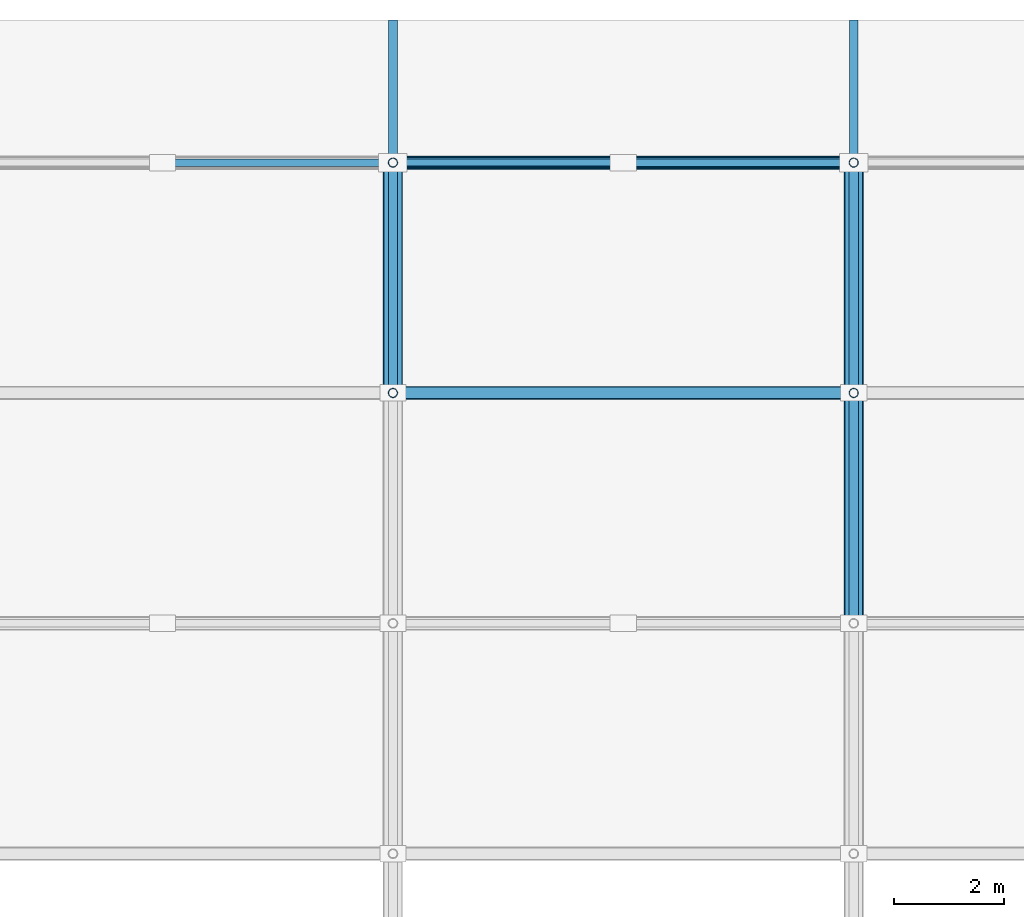
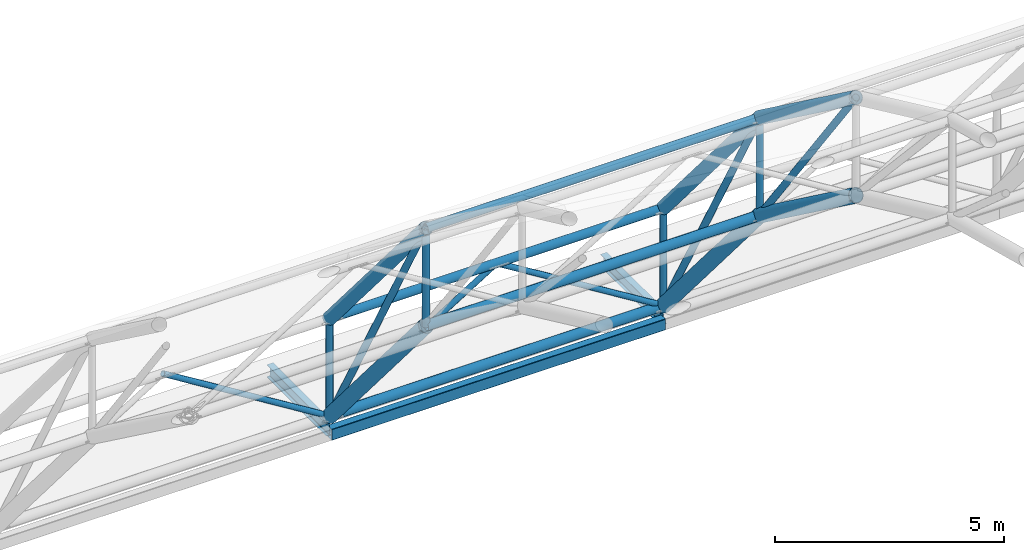
# One storey, part 41 of 103: 14 members, 9 beams.
"""IFC4 building model written with IfcOpenShell, lengths in metres."""

import ifcopenshell
import ifcopenshell.guid

model = None  # the IFC model being written
_history = None  # IfcOwnerHistory: only IFC2X3 demands one
_inside = {}  # id of a spatial element -> (the spatial element, [elements in it])
_under = {}  # id of a project, library or spatial element -> (it, [spatial elements below it])
_declared = {}  # id of a project -> (the project, [libraries it declares])
_typed = {}  # id of a type object -> (the type object, [elements of that type])
_made_of = {}  # id of a material, layer set ... -> (it, [elements and type objects made of it])


def new_model(schema):
    """Start an empty IFC model of exactly this schema.

    Asked for "IFC4X3", IfcOpenShell would pick the latest addendum, in which some entities
    have other attributes; the version numbers below select the first issue.
    IFC2X3 requires an IfcOwnerHistory on every rooted entity: one is made here for all.
    """
    global model, _history
    if schema == "IFC4X3":
        model = ifcopenshell.file(schema_version=(4, 3, 0, 0))
    else:
        model = ifcopenshell.file(schema=schema)
    _inside.clear()
    _under.clear()
    _declared.clear()
    _typed.clear()
    _made_of.clear()
    _history = None
    if model.schema == "IFC2X3":
        org = make("IfcOrganization", Name="unknown")
        user = make(
            "IfcPersonAndOrganization",
            ThePerson=make("IfcPerson", FamilyName="unknown"),
            TheOrganization=org,
        )
        app = make(
            "IfcApplication",
            ApplicationDeveloper=org,
            Version="unknown",
            ApplicationFullName="unknown",
            ApplicationIdentifier="unknown",
        )
        _history = make(
            "IfcOwnerHistory",
            OwningUser=user,
            OwningApplication=app,
            ChangeAction="ADDED",
            CreationDate=0,
        )
    return model


def make(cls, **values):
    """One entity of the class cls with the attributes given. An attribute that is None is left unset."""
    return model.create_entity(
        cls, **{name: value for name, value in values.items() if value is not None}
    )


def rooted(cls, **values):
    """An entity with a GlobalId (a new one), such as an element, a storey or a relation."""
    return make(cls, GlobalId=ifcopenshell.guid.new(), OwnerHistory=_history, **values)


def si_unit(unit_type, name, prefix=None):
    """IfcSIUnit, for example si_unit("LENGTHUNIT", "METRE", prefix="MILLI")."""
    return make("IfcSIUnit", UnitType=unit_type, Prefix=prefix, Name=name)


def assignment(units):
    """IfcUnitAssignment: the units of a project."""
    return None if units is None else make("IfcUnitAssignment", Units=units)


def point(xyz):
    """IfcCartesianPoint."""
    return None if xyz is None else make("IfcCartesianPoint", Coordinates=xyz)


def direction(xyz):
    """IfcDirection."""
    return None if xyz is None else make("IfcDirection", DirectionRatios=xyz)


def frame(location, z_axis=None, x_axis=None):
    """IfcAxis2Placement3D, a coordinate frame: its origin and axes. An axis left out is left unset."""
    return make(
        "IfcAxis2Placement3D",
        Location=point(location),
        Axis=direction(z_axis),
        RefDirection=direction(x_axis),
    )


def frame_2d(location, x_axis=None):
    """IfcAxis2Placement2D, a coordinate frame in the plane: its origin and x axis."""
    return make(
        "IfcAxis2Placement2D", Location=point(location), RefDirection=direction(x_axis)
    )


def origin():
    """The frame at (0, 0, 0) with its axes left unset."""
    return frame((0.0, 0.0, 0.0))


def origin_2d():
    """The frame at (0, 0) in the plane with its x axis left unset."""
    return frame_2d((0.0, 0.0))


def place(relative_to, where):
    """IfcLocalPlacement: puts the frame where relative to a parent placement (None: the world)."""
    return make(
        "IfcLocalPlacement", PlacementRelTo=relative_to, RelativePlacement=where
    )


def context(
    kind, dimensions, precision=None, world=None, true_north=None, identifier=None
):
    """IfcGeometricRepresentationContext, for example the 3D "Model" context."""
    return make(
        "IfcGeometricRepresentationContext",
        ContextIdentifier=identifier,
        ContextType=kind,
        CoordinateSpaceDimension=dimensions,
        Precision=precision,
        WorldCoordinateSystem=world,
        TrueNorth=true_north,
    )


def subcontext(parent, identifier, kind, view, scale=None):
    """IfcGeometricRepresentationSubContext, for example "Body" below "Model"."""
    return make(
        "IfcGeometricRepresentationSubContext",
        ContextIdentifier=identifier,
        ContextType=kind,
        ParentContext=parent,
        TargetScale=scale,
        TargetView=view,
    )


def project(units=None, contexts=None):
    """IfcProject with its units and contexts."""
    return rooted(
        "IfcProject",
        Name="project",
        RepresentationContexts=contexts,
        UnitsInContext=assignment(units),
    )


def spatial(cls, under=None, at=None, **own):
    """A site, building, storey or space (cls), placed at a placement, below another one or the project."""
    s = rooted(cls, ObjectPlacement=at, **own)
    if under is not None:
        _under.setdefault(under.id(), (under, []))[1].append(s)
    return s


def profile(cls, at=None, kind="AREA", **sizes):
    """A parametric profile (cls). Its sizes go by their IFC names, for example OverallWidth=200.0."""
    return make(cls, ProfileType=kind, Position=at, **sizes)


def hollow_rectangle(**sizes):
    """IfcRectangleHollowProfileDef."""
    return profile("IfcRectangleHollowProfileDef", **sizes)


def hollow_circle(**sizes):
    """IfcCircleHollowProfileDef."""
    return profile("IfcCircleHollowProfileDef", **sizes)


def i_section(**sizes):
    """IfcIShapeProfileDef."""
    return profile("IfcIShapeProfileDef", **sizes)


def extrude(swept, where, along, depth):
    """IfcExtrudedAreaSolid: the profile swept, set in the frame where, extruded along a direction by depth."""
    return make(
        "IfcExtrudedAreaSolid",
        SweptArea=swept,
        Position=where,
        ExtrudedDirection=direction(along),
        Depth=depth,
    )


def shape(context_of_items, identifier, shape_type, items):
    """IfcShapeRepresentation: the items that make up one representation, for example the "Body"."""
    return make(
        "IfcShapeRepresentation",
        ContextOfItems=context_of_items,
        RepresentationIdentifier=identifier,
        RepresentationType=shape_type,
        Items=items,
    )


def material(Name=None, Category=None):
    """IfcMaterial."""
    return make("IfcMaterial", Name=Name, Category=Category)


def material_profile(
    of_material, cross_section, Name=None, Category=None, Priority=None
):
    """IfcMaterialProfile: a cross section and its material."""
    return make(
        "IfcMaterialProfile",
        Name=Name,
        Material=of_material,
        Profile=cross_section,
        Priority=Priority,
        Category=Category,
    )


def profile_set(profiles, Name=None, composite=None):
    """IfcMaterialProfileSet."""
    return make(
        "IfcMaterialProfileSet",
        Name=Name,
        MaterialProfiles=profiles,
        CompositeProfile=composite,
    )


def made_of(thing, what):
    """Note that an element or type object is made of a material, layer set ...; save() writes the relation."""
    if what is not None:
        _made_of.setdefault(what.id(), (what, []))[1].append(thing)
    return thing


def type_object(cls, material=None, **own):
    """A type object (cls), such as IfcWallType, which elements share."""
    return made_of(rooted(cls, **own), material)


def element(
    cls,
    number,
    at=None,
    inside=None,
    cuts=None,
    type_object=None,
    material=None,
    context=None,
    identifier="Body",
    shape_type=None,
    held_by="IfcProductDefinitionShape",
    body=None,
    shapes=None,
    **own,
):
    """One element of the class cls, such as IfcWall. Its Tag is "e" and its number.

    at: its placement. inside: the storey or other place that contains it. cuts: it is an
    opening in that element (IfcRelVoidsElement). A single representation is given by context,
    identifier, shape_type and body (its items); several are given by shapes. held_by: the class
    of the entity that holds the representations. save() writes the other relations.
    """
    e = rooted(cls, Tag="e%d" % number, ObjectPlacement=at, **own)
    if body is not None:
        shapes = [shape(context, identifier, shape_type, body)]
    if shapes is not None:
        e.Representation = make(held_by, Representations=shapes)
    if inside is not None:
        _inside.setdefault(inside.id(), (inside, []))[1].append(e)
    if cuts is not None:
        rooted(
            "IfcRelVoidsElement", RelatingBuildingElement=cuts, RelatedOpeningElement=e
        )
    if type_object is not None:
        _typed.setdefault(type_object.id(), (type_object, []))[1].append(e)
    return made_of(e, material)


def aggregate(whole, parts):
    """IfcRelAggregates: a whole, such as a stair, and the parts it consists of."""
    return rooted("IfcRelAggregates", RelatingObject=whole, RelatedObjects=parts)


def save(model, path):
    """Write the relations noted so far, then the file.

    IfcRelAggregates (storeys below a building ...), IfcRelContainedInSpatialStructure (elements
    in a storey), IfcRelDefinesByType, IfcRelAssociatesMaterial and IfcRelDeclares: one each for
    every whole, place, type object, material and project.
    """
    for whole, parts in _under.values():
        aggregate(whole, parts)
    for where, things in _inside.values():
        rooted(
            "IfcRelContainedInSpatialStructure",
            RelatedElements=things,
            RelatingStructure=where,
        )
    for kind, things in _typed.values():
        rooted("IfcRelDefinesByType", RelatedObjects=things, RelatingType=kind)
    for what, things in _made_of.values():
        rooted("IfcRelAssociatesMaterial", RelatedObjects=things, RelatingMaterial=what)
    for by, libraries in _declared.values():
        rooted("IfcRelDeclares", RelatingContext=by, RelatedDefinitions=libraries)
    model.write(path)


model = new_model("IFC4")

# Units and contexts
model_context = context("Model", 3, precision=1e-05, world=origin(), true_north=direction((0.0, 1.0)))
body_context = subcontext(model_context, "Body", "Model", "MODEL_VIEW")
ifc_project = project(units=[si_unit("LENGTHUNIT", "METRE"), si_unit("AREAUNIT", "SQUARE_METRE"), si_unit("VOLUMEUNIT", "CUBIC_METRE"), si_unit("PLANEANGLEUNIT", "RADIAN"), si_unit("MASSUNIT", "GRAM", prefix="KILO")], contexts=[model_context])

# Site, building, storey
site_placement = place(None, origin())
site = spatial("IfcSite", under=ifc_project, at=site_placement, CompositionType="ELEMENT")
building_placement = place(site_placement, origin())
building = spatial("IfcBuilding", under=site, at=building_placement, Name="Varnapada Polytechnic", CompositionType="ELEMENT")
storey_placement = place(building_placement, frame((0.0, 0.0, 18.0)))
storey = spatial("IfcBuildingStorey", under=building, at=storey_placement, Name="L04", CompositionType="ELEMENT", Elevation=18.0)

# Beams
ifc_material = material(Name="Steel S355", Category="steel")
ifc_material_profile_1 = material_profile(ifc_material, i_section(OverallWidth=0.159912109375, OverallDepth=0.330078125, WebThickness=0.007568359375, FlangeThickness=0.011474609375, FilletRadius=0.01806640625, at=origin_2d()), Name="IPE 330")
ifc_profile_set_1 = profile_set([ifc_material_profile_1], Name="Steel S355")
beam_type_1 = type_object("IfcBeamType", Name="Clerestory monitor steel rafter SB-07 (IPE 330)", PredefinedType="BEAM", material=ifc_profile_set_1)
for number, where, z_axis, x_axis, name in (
    (1, (67.199951171875, 126.0, -0.35009765625), (0.0, 1.0, 0.0), (-1.0, 0.0, 0.0), "Workshop eave shade outlooker N.3"),
    (2, (75.60009765625, 126.0, -0.35009765625), (0.0, 1.0, 0.0), (-1.0, 0.0, 0.0), "Workshop eave shade outlooker N.4"),
):
    element("IfcBeam", number, at=place(storey_placement, frame(where, z_axis=z_axis, x_axis=x_axis)), inside=storey, type_object=beam_type_1, Name=name, PredefinedType="BEAM", context=body_context, shape_type="SweptSolid", body=[
        extrude(i_section(OverallWidth=0.159912109375, OverallDepth=0.330078125, WebThickness=0.007568359375, FlangeThickness=0.011474609375, FilletRadius=0.01806640625, at=origin_2d()), origin(), (0.0, 0.0, 1.0), 2.60009765625),
    ])

# Members
ifc_material_profile_2 = material_profile(ifc_material, hollow_circle(Radius=0.122314453125, WallThickness=0.008056640625, at=origin_2d()), Name="CHS 244.5x8.0")
ifc_profile_set_2 = profile_set([ifc_material_profile_2], Name="Steel S355")
member_type_1 = type_object("IfcMemberType", Name="Vaulted space frame longitudinal bottom chord SFC-01 (CHS 244.5x8.0)", PredefinedType="CHORD", material=ifc_profile_set_2)
for number, where, z_axis, x_axis, name in (
    (3, (67.199951171875, 121.800048828125, 4.94921875), (1.0, 0.0, 0.0), (0.0, 1.0, 0.0), "Vaulted space frame longitudinal bottom chord 3.10"),
    (4, (67.199951171875, 126.0, 0.0), (1.0, 0.0, 0.0), (0.0, 1.0, 0.0), "Vaulted space frame longitudinal bottom chord 3.11"),
):
    element("IfcMember", number, at=place(storey_placement, frame(where, z_axis=z_axis, x_axis=x_axis)), inside=storey, type_object=member_type_1, Name=name, PredefinedType="CHORD", context=body_context, shape_type="SweptSolid", body=[
        extrude(hollow_circle(Radius=0.122314453125, WallThickness=0.008056640625, at=origin_2d()), origin(), (0.0, 0.0, 1.0), 8.400146484375),
    ])
ifc_material_profile_3 = material_profile(ifc_material, hollow_circle(Radius=0.109619140625, WallThickness=0.008056640625, at=origin_2d()), Name="CHS 219.1x8.0")
ifc_profile_set_3 = profile_set([ifc_material_profile_3], Name="Steel S355")
member_type_2 = type_object("IfcMemberType", Name="Vaulted space frame longitudinal top chord SFC-02 (CHS 219.1x8.0)", PredefinedType="CHORD", material=ifc_profile_set_3)
for number, where, z_axis, x_axis, name in (
    (5, (67.199951171875, 121.800048828125, 7.549072265625), (1.0, 0.0, 0.0), (0.0, 1.0, 0.0), "Vaulted space frame longitudinal top chord 3.10"),
    (6, (67.199951171875, 126.0, 2.60009765625), (1.0, 0.0, 0.0), (0.0, 1.0, 0.0), "Vaulted space frame longitudinal top chord 3.11"),
):
    element("IfcMember", number, at=place(storey_placement, frame(where, z_axis=z_axis, x_axis=x_axis)), inside=storey, type_object=member_type_2, Name=name, PredefinedType="CHORD", context=body_context, shape_type="SweptSolid", body=[
        extrude(hollow_circle(Radius=0.109619140625, WallThickness=0.008056640625, at=origin_2d()), origin(), (0.0, 0.0, 1.0), 8.400146484375),
    ])

# Beams
ifc_material_profile_4 = material_profile(ifc_material, hollow_circle(Radius=0.177734375, WallThickness=0.012451171875, at=origin_2d()), Name="CHS 355.6x12.5")
ifc_profile_set_4 = profile_set([ifc_material_profile_4], Name="Steel S355")
beam_type_2 = type_object("IfcBeamType", Name="Vaulted space frame primary arch rib VA-01 (CHS 355.6x12.5)", PredefinedType="BEAM", material=ifc_profile_set_4)
beam_1_placement = place(storey_placement, frame((67.199951171875, 121.800048828125, 4.94921875), z_axis=(0.0, 0.647032448214, -0.762462465279), x_axis=(-1.0, 0.0, 0.0)))
element("IfcBeam", 7, at=beam_1_placement, inside=storey, type_object=beam_type_2, Name="Vaulted space frame bottom arch chord 3.10", PredefinedType="BEAM", context=body_context, shape_type="SweptSolid", body=[
    extrude(hollow_circle(Radius=0.177734375, WallThickness=0.012451171875, at=origin_2d()), origin(), (0.0, 0.0, 1.0), 6.4912109375),
])
beam_2_placement = place(storey_placement, frame((75.60009765625, 117.60009765625, 8.02783203125), z_axis=(0.0, 0.806528689778, -0.591194953095), x_axis=(-1.0, 0.0, 0.0)))
element("IfcBeam", 8, at=beam_2_placement, inside=storey, type_object=beam_type_2, Name="Vaulted space frame bottom arch chord 4.9", PredefinedType="BEAM", context=body_context, shape_type="SweptSolid", body=[
    extrude(hollow_circle(Radius=0.177734375, WallThickness=0.012451171875, at=origin_2d()), origin(), (0.0, 0.0, 1.0), 5.20751953125),
])
beam_3_placement = place(storey_placement, frame((75.60009765625, 121.800048828125, 4.94921875), z_axis=(0.0, 0.647032448214, -0.762462465279), x_axis=(-1.0, 0.0, 0.0)))
element("IfcBeam", 9, at=beam_3_placement, inside=storey, type_object=beam_type_2, Name="Vaulted space frame bottom arch chord 4.10", PredefinedType="BEAM", context=body_context, shape_type="SweptSolid", body=[
    extrude(hollow_circle(Radius=0.177734375, WallThickness=0.012451171875, at=origin_2d()), origin(), (0.0, 0.0, 1.0), 6.4912109375),
])

# Members
ifc_material_profile_5 = material_profile(ifc_material, hollow_circle(Radius=0.084228515625, WallThickness=0.00634765625, at=origin_2d()), Name="CHS 168.3x6.3")
ifc_profile_set_5 = profile_set([ifc_material_profile_5], Name="Steel S355")
member_type_3 = type_object("IfcMemberType", Name="Vaulted space frame primary web diagonal SFB-01 (CHS 168.3x6.3)", PredefinedType="BRACE", material=ifc_profile_set_5)
member_1_placement = place(storey_placement, frame((67.199951171875, 121.800048828125, 7.549072265625), z_axis=(0.0, 0.486175535898, -0.873861172209), x_axis=(-1.0, 0.0, 0.0)))
element("IfcMember", 10, at=member_1_placement, inside=storey, type_object=member_type_3, Name="Vaulted space frame web diagonal 3.10", PredefinedType="BRACE", context=body_context, shape_type="SweptSolid", body=[
    extrude(hollow_circle(Radius=0.084228515625, WallThickness=0.00634765625, at=origin_2d()), origin(), (0.0, 0.0, 1.0), 8.638671875),
])
member_2_placement = place(storey_placement, frame((75.60009765625, 117.60009765625, 10.6279296875), z_axis=(0.0, 0.594633036041, -0.803997234105), x_axis=(-1.0, 0.0, 0.0)))
element("IfcMember", 11, at=member_2_placement, inside=storey, type_object=member_type_3, Name="Vaulted space frame web diagonal 4.9", PredefinedType="BRACE", context=body_context, shape_type="SweptSolid", body=[
    extrude(hollow_circle(Radius=0.084228515625, WallThickness=0.00634765625, at=origin_2d()), origin(), (0.0, 0.0, 1.0), 7.06298828125),
])
member_3_placement = place(storey_placement, frame((75.60009765625, 121.800048828125, 7.549072265625), z_axis=(0.0, 0.486175535898, -0.873861172209), x_axis=(-1.0, 0.0, 0.0)))
element("IfcMember", 12, at=member_3_placement, inside=storey, type_object=member_type_3, Name="Vaulted space frame web diagonal 4.10", PredefinedType="BRACE", context=body_context, shape_type="SweptSolid", body=[
    extrude(hollow_circle(Radius=0.084228515625, WallThickness=0.00634765625, at=origin_2d()), origin(), (0.0, 0.0, 1.0), 8.638671875),
])
ifc_material_profile_6 = material_profile(ifc_material, hollow_circle(Radius=0.084228515625, WallThickness=0.00634765625, at=origin_2d()), Name="CHS 168.3x6.3")
ifc_profile_set_6 = profile_set([ifc_material_profile_6], Name="Steel S355")
member_type_4 = type_object("IfcMemberType", Name="Vaulted space frame radial web strut SFS-01 (CHS 168.3x6.3)", PredefinedType="STRUT", material=ifc_profile_set_6)
member_4_placement = place(storey_placement, frame((67.199951171875, 121.800048828125, 4.94921875), z_axis=(0.0, 0.0, 1.0), x_axis=(1.0, 0.0, 0.0)))
element("IfcMember", 13, at=member_4_placement, inside=storey, type_object=member_type_4, Name="Vaulted space frame strut 3.10", PredefinedType="STRUT", context=body_context, shape_type="SweptSolid", body=[
    extrude(hollow_circle(Radius=0.084228515625, WallThickness=0.00634765625, at=origin_2d()), origin(), (0.0, 0.0, 1.0), 2.599853515625),
])
member_5_placement = place(storey_placement, frame((67.199951171875, 126.0, 0.0), z_axis=(0.0, 0.0, 1.0), x_axis=(1.0, 0.0, 0.0)))
element("IfcMember", 14, at=member_5_placement, inside=storey, type_object=member_type_4, Name="Vaulted space frame strut 3.11", PredefinedType="STRUT", context=body_context, shape_type="SweptSolid", body=[
    extrude(hollow_circle(Radius=0.084228515625, WallThickness=0.00634765625, at=origin_2d()), origin(), (0.0, 0.0, 1.0), 2.60009765625),
])
member_6_placement = place(storey_placement, frame((75.60009765625, 121.800048828125, 4.94921875), z_axis=(0.0, 0.0, 1.0), x_axis=(1.0, 0.0, 0.0)))
element("IfcMember", 15, at=member_6_placement, inside=storey, type_object=member_type_4, Name="Vaulted space frame strut 4.10", PredefinedType="STRUT", context=body_context, shape_type="SweptSolid", body=[
    extrude(hollow_circle(Radius=0.084228515625, WallThickness=0.00634765625, at=origin_2d()), origin(), (0.0, 0.0, 1.0), 2.599853515625),
])
member_7_placement = place(storey_placement, frame((75.60009765625, 126.0, 0.0), z_axis=(0.0, 0.0, 1.0), x_axis=(1.0, 0.0, 0.0)))
element("IfcMember", 16, at=member_7_placement, inside=storey, type_object=member_type_4, Name="Vaulted space frame strut 4.11", PredefinedType="STRUT", context=body_context, shape_type="SweptSolid", body=[
    extrude(hollow_circle(Radius=0.084228515625, WallThickness=0.00634765625, at=origin_2d()), origin(), (0.0, 0.0, 1.0), 2.60009765625),
])
ifc_material_profile_7 = material_profile(ifc_material, hollow_circle(Radius=0.06982421875, WallThickness=0.0048828125, at=origin_2d()), Name="CHS 139.7x5.0")
ifc_profile_set_7 = profile_set([ifc_material_profile_7], Name="Steel S355")
member_type_5 = type_object("IfcMemberType", Name="Vaulted space frame secondary web diagonal SFB-02 (CHS 139.7x5.0)", PredefinedType="BRACE", material=ifc_profile_set_7)
for number, where, z_axis, x_axis, name in (
    (17, (67.199951171875, 126.0, 0.0), (-0.85025356003, 0.0, 0.526373331065), (0.0, -1.0, 0.0), "Vaulted space frame longitudinal brace 2.11B"),
    (18, (67.199951171875, 126.0, 0.0), (0.85025356003, 0.0, 0.526373331065), (0.0, 1.0, 0.0), "Vaulted space frame longitudinal brace 3.11A"),
):
    element("IfcMember", number, at=place(storey_placement, frame(where, z_axis=z_axis, x_axis=x_axis)), inside=storey, type_object=member_type_5, Name=name, PredefinedType="BRACE", context=body_context, shape_type="SweptSolid", body=[
        extrude(hollow_circle(Radius=0.06982421875, WallThickness=0.0048828125, at=origin_2d()), origin(), (0.0, 0.0, 1.0), 4.939697265625),
    ])
member_8_placement = place(storey_placement, frame((75.60009765625, 126.0, 0.0), z_axis=(-0.85026725322, 0.0, 0.526351211741), x_axis=(0.0, -1.0, 0.0)))
element("IfcMember", 19, at=member_8_placement, inside=storey, type_object=member_type_5, Name="Vaulted space frame longitudinal brace 3.11B", PredefinedType="BRACE", context=body_context, shape_type="SweptSolid", body=[
    extrude(hollow_circle(Radius=0.06982421875, WallThickness=0.0048828125, at=origin_2d()), origin(), (0.0, 0.0, 1.0), 4.93994140625),
])

# Beams
ifc_material_profile_8 = material_profile(ifc_material, hollow_circle(Radius=0.161865234375, WallThickness=0.010009765625, at=origin_2d()), Name="CHS 323.9x10.0")
ifc_profile_set_8 = profile_set([ifc_material_profile_8], Name="Steel S355")
beam_type_3 = type_object("IfcBeamType", Name="Vaulted space frame upper arch rib VA-02 (CHS 323.9x10.0)", PredefinedType="BEAM", material=ifc_profile_set_8)
beam_4_placement = place(storey_placement, frame((67.199951171875, 121.800048828125, 7.549072265625), z_axis=(0.0, 0.647051003787, -0.762446718465), x_axis=(-1.0, 0.0, 0.0)))
element("IfcBeam", 20, at=beam_4_placement, inside=storey, type_object=beam_type_3, Name="Vaulted space frame top arch chord 3.10", PredefinedType="BEAM", context=body_context, shape_type="SweptSolid", body=[
    extrude(hollow_circle(Radius=0.161865234375, WallThickness=0.010009765625, at=origin_2d()), origin(), (0.0, 0.0, 1.0), 6.490966796875),
])
beam_5_placement = place(storey_placement, frame((75.60009765625, 117.60009765625, 10.6279296875), z_axis=(0.0, 0.806506335259, -0.591225448698), x_axis=(-1.0, 0.0, 0.0)))
element("IfcBeam", 21, at=beam_5_placement, inside=storey, type_object=beam_type_3, Name="Vaulted space frame top arch chord 4.9", PredefinedType="BEAM", context=body_context, shape_type="SweptSolid", body=[
    extrude(hollow_circle(Radius=0.161865234375, WallThickness=0.010009765625, at=origin_2d()), origin(), (0.0, 0.0, 1.0), 5.20751953125),
])
beam_6_placement = place(storey_placement, frame((75.60009765625, 121.800048828125, 7.549072265625), z_axis=(0.0, 0.647051003787, -0.762446718465), x_axis=(-1.0, 0.0, 0.0)))
element("IfcBeam", 22, at=beam_6_placement, inside=storey, type_object=beam_type_3, Name="Vaulted space frame top arch chord 4.10", PredefinedType="BEAM", context=body_context, shape_type="SweptSolid", body=[
    extrude(hollow_circle(Radius=0.161865234375, WallThickness=0.010009765625, at=origin_2d()), origin(), (0.0, 0.0, 1.0), 6.490966796875),
])
ifc_material_profile_9 = material_profile(ifc_material, hollow_rectangle(XDim=0.199951171875, YDim=0.300048828125, WallThickness=0.010009765625, InnerFilletRadius=0.010009765625, OuterFilletRadius=0.02001953125, at=origin_2d()), Name="RHS 300x200x10")
ifc_profile_set_9 = profile_set([ifc_material_profile_9], Name="Steel S355")
beam_type_4 = type_object("IfcBeamType", Name="Workshop steel spandrel tie SP-03 (RHS 300x200x10)", PredefinedType="SPANDREL", material=ifc_profile_set_9)
beam_7_placement = place(storey_placement, frame((67.199951171875, 126.0, -0.449951171875), z_axis=(1.0, 0.0, 0.0), x_axis=(0.0, 1.0, 0.0)))
element("IfcBeam", 23, at=beam_7_placement, inside=storey, type_object=beam_type_4, Name="L04 workshop clerestory tie X9-10 Y16", PredefinedType="SPANDREL", context=body_context, shape_type="SweptSolid", body=[
    extrude(hollow_rectangle(XDim=0.199951171875, YDim=0.300048828125, WallThickness=0.010009765625, InnerFilletRadius=0.010009765625, OuterFilletRadius=0.02001953125, at=origin_2d()), origin(), (0.0, 0.0, 1.0), 8.400146484375),
])

save(model, "model.ifc")
